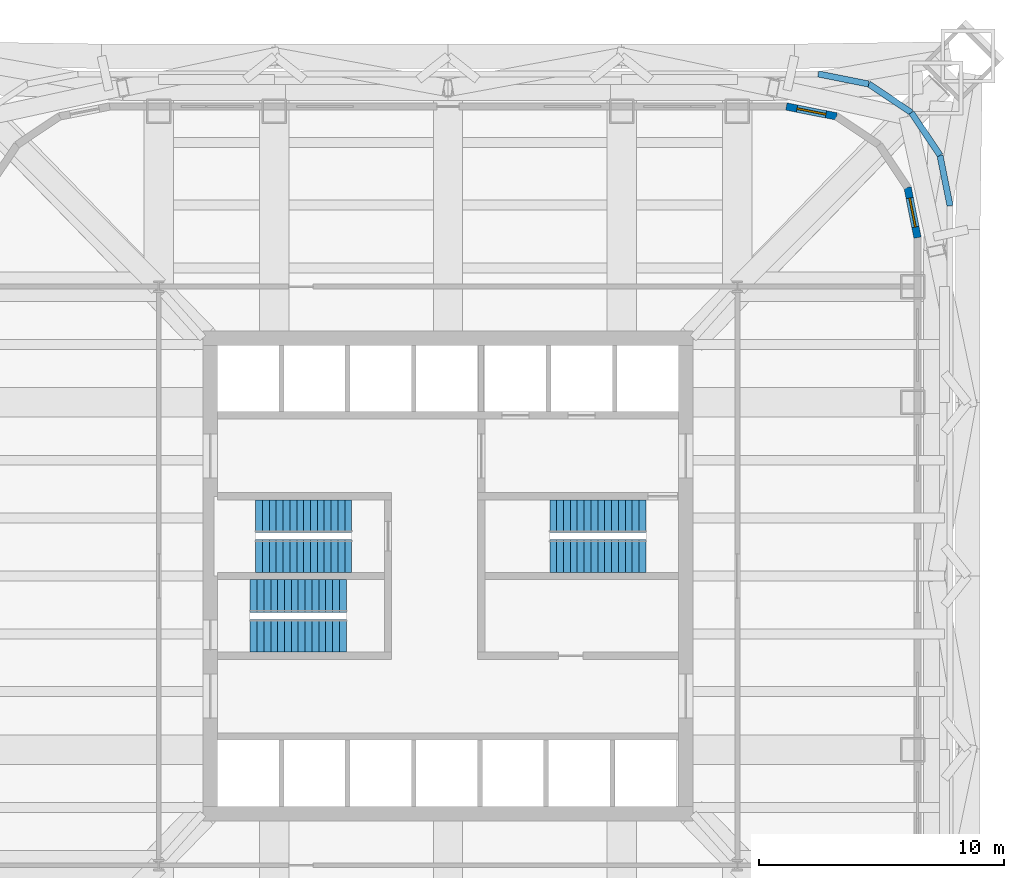
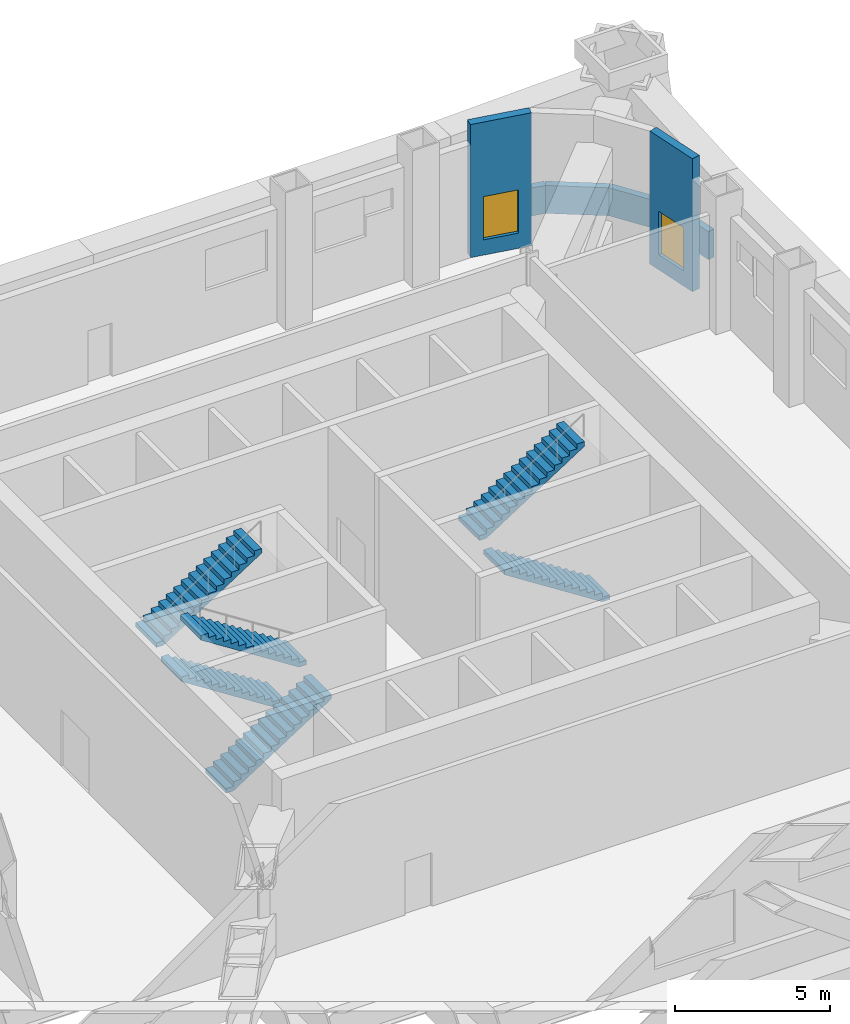
# One storey, part 7 of 9: 6 stair flights, 6 walls, 2 windows, 2 openings, 3 elements without a shape of their own.
"""IFC4 building model written with IfcOpenShell, lengths in metres."""

from ifc_helpers import new_model, si_unit, direction, frame, frame_2d, origin, place, context, subcontext, project, spatial, polyline, rectangle, outline, extrude, material, layer, layer_set, type_object, element, fill, aggregate, save


model = new_model("IFC4")

# Units and contexts
model_context = context("Model", 3, precision=1e-05, world=origin(), true_north=direction((0.0, 1.0)))
body_context = subcontext(model_context, "Body", "Model", "MODEL_VIEW")
ifc_project = project(units=[si_unit("LENGTHUNIT", "METRE"), si_unit("AREAUNIT", "SQUARE_METRE"), si_unit("VOLUMEUNIT", "CUBIC_METRE"), si_unit("PLANEANGLEUNIT", "RADIAN"), si_unit("MASSUNIT", "GRAM", prefix="KILO")], contexts=[model_context])

# Site, building, storey
site_placement = place(None, origin())
site = spatial("IfcSite", under=ifc_project, at=site_placement, CompositionType="ELEMENT")
building_placement = place(site_placement, origin())
building = spatial("IfcBuilding", under=site, at=building_placement, Name="Turquesa Mirador Hotel Tower", CompositionType="ELEMENT")
storey_placement = place(building_placement, frame((0.0, 0.0, 156.39990234375)))
storey = spatial("IfcBuildingStorey", under=building, at=storey_placement, Name="L42", CompositionType="ELEMENT", Elevation=156.39990234375)

# Wall, opening, window
ifc_material_1 = material(Name="Limestone cladding on concrete block", Category="masonry")
ifc_layer_1 = layer(ifc_material_1, 0.300048828125)
ifc_layer_set_1 = layer_set([ifc_layer_1], Name="LOUVRE WALL 300 STONE")
wall_type_1 = type_object("IfcWallType", Name="LOUVRE WALL 300 STONE", PredefinedType="SOLIDWALL", material=ifc_layer_set_1)
wall_1_placement = place(storey_placement, frame((74.14990234375, 58.800048828125, 0.0), z_axis=(0.0, 0.0, 1.0), x_axis=(-0.195081421501, 0.980787050784, 0.0)))
wall_1 = element("IfcWall", 1, at=wall_1_placement, inside=storey, type_object=wall_type_1, Name="Facade wall L42 05", PredefinedType="SOLIDWALL", context=body_context, shape_type="SweptSolid", body=[
    extrude(rectangle(XDim=2.08740234375, YDim=0.300048828125, at=frame_2d((1.043701171875, 0.0))), origin(), (0.0, 0.0, 1.0), 5.22998046875),
])
opening_1_placement = place(wall_1_placement, frame((0.443603515625, 0.0, 0.60009765625)))
opening_1 = element("IfcOpeningElement", 2, at=opening_1_placement, cuts=wall_1, Name="Opening LV8", PredefinedType="OPENING", context=body_context, shape_type="SweptSolid", body=[
    extrude(rectangle(XDim=1.199951171875, YDim=1.699951171875, at=frame_2d((0.60009765625, 0.85009765625))), frame((0.0, 0.159912109375, 0.0), z_axis=(0.0, -1.0, 0.0), x_axis=(1.0, 0.0, 0.0)), (0.0, 0.0, 1.0), 0.320068359375),
])
ifc_material_2 = material(Name="Aluminium extrusion", Category="aluminium")
window_type = type_object("IfcWindowType", Name="PLANT LOUVRE 1200X1700", PartitioningType="SINGLE_PANEL", PredefinedType="USERDEFINED", material=ifc_material_2)
window_1_placement = place(opening_1_placement, origin())
window_1 = element("IfcWindow", 3, at=window_1_placement, inside=storey, type_object=window_type, Name="Window L42", ObjectType="LOUVRE", OverallHeight=1.699951171875, OverallWidth=1.199951171875, PartitioningType="SINGLE_PANEL", PredefinedType="USERDEFINED", context=body_context, shape_type="SweptSolid", body=[
    extrude(rectangle(XDim=1.199951171875, YDim=1.699951171875, at=frame_2d((0.60009765625, 0.85009765625))), frame((0.0, 0.030029296875, 0.0), z_axis=(0.0, -1.0, 0.0), x_axis=(1.0, 0.0, 0.0)), (0.0, 0.0, 1.0), 0.06005859375),
])
fill(opening_1, window_1)

wall_2_placement = place(storey_placement, frame((70.847412109375, 63.74267578125, 0.0), z_axis=(0.0, 0.0, 1.0), x_axis=(-0.980787050784, 0.195081421501, 0.0)))
wall_2 = element("IfcWall", 4, at=wall_2_placement, inside=storey, type_object=wall_type_1, Name="Facade wall L42 08", PredefinedType="SOLIDWALL", context=body_context, shape_type="SweptSolid", body=[
    extrude(rectangle(XDim=2.08740234375, YDim=0.300048828125, at=frame_2d((1.043701171875, 0.0))), origin(), (0.0, 0.0, 1.0), 5.22998046875),
])
opening_2_placement = place(wall_2_placement, frame((0.443603515625, 0.0, 0.60009765625)))
opening_2 = element("IfcOpeningElement", 5, at=opening_2_placement, cuts=wall_2, Name="Opening LV8", PredefinedType="OPENING", context=body_context, shape_type="SweptSolid", body=[
    extrude(rectangle(XDim=1.199951171875, YDim=1.699951171875, at=frame_2d((0.60009765625, 0.85009765625))), frame((0.0, 0.159912109375, 0.0), z_axis=(0.0, -1.0, 0.0), x_axis=(1.0, 0.0, 0.0)), (0.0, 0.0, 1.0), 0.320068359375),
])
window_2_placement = place(opening_2_placement, origin())
window_2 = element("IfcWindow", 6, at=window_2_placement, inside=storey, type_object=window_type, Name="Window L42", ObjectType="LOUVRE", OverallHeight=1.699951171875, OverallWidth=1.199951171875, PartitioningType="SINGLE_PANEL", PredefinedType="USERDEFINED", context=body_context, shape_type="SweptSolid", body=[
    extrude(rectangle(XDim=1.199951171875, YDim=1.699951171875, at=frame_2d((0.60009765625, 0.85009765625))), frame((0.0, 0.030029296875, 0.0), z_axis=(0.0, -1.0, 0.0), x_axis=(1.0, 0.0, 0.0)), (0.0, 0.0, 1.0), 0.06005859375),
])
fill(opening_2, window_2)

# Walls
ifc_material_3 = material(Name="Limestone cladding on concrete block", Category="masonry")
ifc_layer_2 = layer(ifc_material_3, 0.25)
ifc_layer_set_2 = layer_set([ifc_layer_2], Name="PARAPET 250 STONE")
wall_type_2 = type_object("IfcWallType", Name="PARAPET 250 STONE", PredefinedType="PARAPET", material=ifc_layer_set_2)
for number, where, z_axis, x_axis, name in (
    (7, (75.47509765625, 60.10009765625, 0.0), (0.0, 0.0, 1.0), (-0.195108609271, 0.980781642665, 0.0), "Maintenance roof parapet L42"),
    (8, (75.06591796875, 62.156982421875, 0.0), (0.0, 0.0, 1.0), (-0.555640102334, 0.831422922873, 0.0), "Maintenance roof parapet L42"),
    (9, (73.900634765625, 63.900634765625, 0.0), (0.0, 0.0, 1.0), (-0.831422922873, 0.555640102334, 0.0), "Maintenance roof parapet L42"),
    (10, (72.156982421875, 65.06591796875, 0.0), (0.0, 0.0, 1.0), (-0.980781642665, 0.195108609271, 0.0), "Maintenance roof parapet L42"),
):
    element("IfcWall", number, at=place(storey_placement, frame(where, z_axis=z_axis, x_axis=x_axis)), inside=storey, type_object=wall_type_2, Name=name, PredefinedType="PARAPET", context=body_context, shape_type="SweptSolid", body=[
        extrude(rectangle(XDim=2.09716796875, YDim=0.25, at=frame_2d((1.048583984375, 0.0))), origin(), (0.0, 0.0, 1.0), 1.10009765625),
    ])

# Stair, stair flights
ifc_material_4 = material(Name="Concrete C35/45", Category="concrete")
stair_type = type_object("IfcStairType", Name="ESCAPE STAIR CORE", PredefinedType="HALF_TURN_STAIR", material=ifc_material_4)
stair_1_placement = place(storey_placement, origin())
stair_1 = element("IfcStair", 11, at=stair_1_placement, inside=storey, type_object=stair_type, Name="Stair ST1 L42 to L43", PredefinedType="HALF_TURN_STAIR")
ifc_material_5 = material(Name="Concrete C35/45 precast flight", Category="concrete")
stair_flight_type = type_object("IfcStairFlightType", Name="STAIR FLIGHT 1330", PredefinedType="STRAIGHT", material=ifc_material_5)
stair_flight_1_placement = place(storey_placement, frame((51.070068359375, 45.81494140625, 0.0), z_axis=(0.0, 0.0, 1.0), x_axis=(-1.0, 0.0, 0.0)))
stair_flight_1 = element("IfcStairFlight", 12, at=stair_flight_1_placement, type_object=stair_flight_type, Name="ST1 flight 1", NumberOfRisers=15, NumberOfTreads=14, PredefinedType="STRAIGHT", RiserHeight=0.18, TreadLength=0.28, context=body_context, shape_type="SweptSolid", body=[
    extrude(outline(polyline([(0.0, 0.0), (0.0, 0.179931640625), (0.280029296875, 0.179931640625), (0.280029296875, 0.360107421875), (0.56005859375, 0.360107421875), (0.56005859375, 0.5400390625), (0.840087890625, 0.5400390625), (0.840087890625, 0.719970703125), (1.1201171875, 0.719970703125), (1.1201171875, 0.89990234375), (1.39990234375, 0.89990234375), (1.39990234375, 1.080078125), (1.679931640625, 1.080078125), (1.679931640625, 1.260009765625), (1.9599609375, 1.260009765625), (1.9599609375, 1.43994140625), (2.239990234375, 1.43994140625), (2.239990234375, 1.6201171875), (2.52001953125, 1.6201171875), (2.52001953125, 1.800048828125), (2.800048828125, 1.800048828125), (2.800048828125, 1.97998046875), (3.080078125, 1.97998046875), (3.080078125, 2.159912109375), (3.360107421875, 2.159912109375), (3.360107421875, 2.340087890625), (3.639892578125, 2.340087890625), (3.639892578125, 2.52001953125), (3.919921875, 2.52001953125), (3.919921875, 2.699951171875), (3.919921875, 2.341796875), (0.277099609375, 0.0), (0.0, 0.0)])), frame((0.0, 0.6650390625, 0.0), z_axis=(0.0, -1.0, 0.0), x_axis=(1.0, 0.0, 0.0)), (0.0, 0.0, 1.0), 1.330078125),
])
stair_flight_2_placement = place(storey_placement, frame((47.14990234375, 47.43505859375, 2.7001953125), z_axis=(0.0, 0.0, 1.0), x_axis=(1.0, 0.0, 0.0)))
stair_flight_2 = element("IfcStairFlight", 13, at=stair_flight_2_placement, type_object=stair_flight_type, Name="ST1 flight 2", NumberOfRisers=15, NumberOfTreads=14, PredefinedType="STRAIGHT", RiserHeight=0.18, TreadLength=0.28, context=body_context, shape_type="SweptSolid", body=[
    extrude(outline(polyline([(0.0, 0.0), (0.0, 0.179931640625), (0.280029296875, 0.179931640625), (0.280029296875, 0.360107421875), (0.56005859375, 0.360107421875), (0.56005859375, 0.5400390625), (0.840087890625, 0.5400390625), (0.840087890625, 0.719970703125), (1.1201171875, 0.719970703125), (1.1201171875, 0.89990234375), (1.39990234375, 0.89990234375), (1.39990234375, 1.080078125), (1.679931640625, 1.080078125), (1.679931640625, 1.260009765625), (1.9599609375, 1.260009765625), (1.9599609375, 1.43994140625), (2.239990234375, 1.43994140625), (2.239990234375, 1.6201171875), (2.52001953125, 1.6201171875), (2.52001953125, 1.800048828125), (2.800048828125, 1.800048828125), (2.800048828125, 1.97998046875), (3.080078125, 1.97998046875), (3.080078125, 2.159912109375), (3.360107421875, 2.159912109375), (3.360107421875, 2.340087890625), (3.639892578125, 2.340087890625), (3.639892578125, 2.52001953125), (3.919921875, 2.52001953125), (3.919921875, 2.699951171875), (3.919921875, 2.341796875), (0.277099609375, 0.0), (0.0, 0.0)])), frame((0.0, 0.6650390625, 0.0), z_axis=(0.0, -1.0, 0.0), x_axis=(1.0, 0.0, 0.0)), (0.0, 0.0, 1.0), 1.330078125),
])
aggregate(stair_1, [stair_flight_1, stair_flight_2])

stair_2_placement = place(storey_placement, origin())
stair_2 = element("IfcStair", 14, at=stair_2_placement, inside=storey, type_object=stair_type, Name="Stair ST2 L42 to L43", PredefinedType="HALF_TURN_STAIR")
stair_flight_3_placement = place(storey_placement, frame((46.929931640625, 42.56494140625, 0.0), z_axis=(0.0, 0.0, 1.0), x_axis=(1.0, 0.0, 0.0)))
stair_flight_3 = element("IfcStairFlight", 15, at=stair_flight_3_placement, type_object=stair_flight_type, Name="ST2 flight 1", NumberOfRisers=15, NumberOfTreads=14, PredefinedType="STRAIGHT", RiserHeight=0.18, TreadLength=0.28, context=body_context, shape_type="SweptSolid", body=[
    extrude(outline(polyline([(0.0, 0.0), (0.0, 0.179931640625), (0.280029296875, 0.179931640625), (0.280029296875, 0.360107421875), (0.56005859375, 0.360107421875), (0.56005859375, 0.5400390625), (0.840087890625, 0.5400390625), (0.840087890625, 0.719970703125), (1.1201171875, 0.719970703125), (1.1201171875, 0.89990234375), (1.39990234375, 0.89990234375), (1.39990234375, 1.080078125), (1.679931640625, 1.080078125), (1.679931640625, 1.260009765625), (1.9599609375, 1.260009765625), (1.9599609375, 1.43994140625), (2.239990234375, 1.43994140625), (2.239990234375, 1.6201171875), (2.52001953125, 1.6201171875), (2.52001953125, 1.800048828125), (2.800048828125, 1.800048828125), (2.800048828125, 1.97998046875), (3.080078125, 1.97998046875), (3.080078125, 2.159912109375), (3.360107421875, 2.159912109375), (3.360107421875, 2.340087890625), (3.639892578125, 2.340087890625), (3.639892578125, 2.52001953125), (3.919921875, 2.52001953125), (3.919921875, 2.699951171875), (3.919921875, 2.341796875), (0.277099609375, 0.0), (0.0, 0.0)])), frame((0.0, 0.6650390625, 0.0), z_axis=(0.0, -1.0, 0.0), x_axis=(1.0, 0.0, 0.0)), (0.0, 0.0, 1.0), 1.330078125),
])
stair_flight_4_placement = place(storey_placement, frame((50.85009765625, 44.18505859375, 2.7001953125), z_axis=(0.0, 0.0, 1.0), x_axis=(-1.0, 0.0, 0.0)))
stair_flight_4 = element("IfcStairFlight", 16, at=stair_flight_4_placement, type_object=stair_flight_type, Name="ST2 flight 2", NumberOfRisers=15, NumberOfTreads=14, PredefinedType="STRAIGHT", RiserHeight=0.18, TreadLength=0.28, context=body_context, shape_type="SweptSolid", body=[
    extrude(outline(polyline([(0.0, 0.0), (0.0, 0.179931640625), (0.280029296875, 0.179931640625), (0.280029296875, 0.360107421875), (0.56005859375, 0.360107421875), (0.56005859375, 0.5400390625), (0.840087890625, 0.5400390625), (0.840087890625, 0.719970703125), (1.1201171875, 0.719970703125), (1.1201171875, 0.89990234375), (1.39990234375, 0.89990234375), (1.39990234375, 1.080078125), (1.679931640625, 1.080078125), (1.679931640625, 1.260009765625), (1.9599609375, 1.260009765625), (1.9599609375, 1.43994140625), (2.239990234375, 1.43994140625), (2.239990234375, 1.6201171875), (2.52001953125, 1.6201171875), (2.52001953125, 1.800048828125), (2.800048828125, 1.800048828125), (2.800048828125, 1.97998046875), (3.080078125, 1.97998046875), (3.080078125, 2.159912109375), (3.360107421875, 2.159912109375), (3.360107421875, 2.340087890625), (3.639892578125, 2.340087890625), (3.639892578125, 2.52001953125), (3.919921875, 2.52001953125), (3.919921875, 2.699951171875), (3.919921875, 2.341796875), (0.277099609375, 0.0), (0.0, 0.0)])), frame((0.0, 0.6650390625, 0.0), z_axis=(0.0, -1.0, 0.0), x_axis=(1.0, 0.0, 0.0)), (0.0, 0.0, 1.0), 1.330078125),
])
aggregate(stair_2, [stair_flight_3, stair_flight_4])

stair_3_placement = place(storey_placement, origin())
stair_3 = element("IfcStair", 17, at=stair_3_placement, inside=storey, type_object=stair_type, Name="Stair ST3 L42 to L43", PredefinedType="HALF_TURN_STAIR")
stair_flight_5_placement = place(storey_placement, frame((63.070068359375, 45.81494140625, 0.0), z_axis=(0.0, 0.0, 1.0), x_axis=(-1.0, 0.0, 0.0)))
stair_flight_5 = element("IfcStairFlight", 18, at=stair_flight_5_placement, type_object=stair_flight_type, Name="ST3 flight 1", NumberOfRisers=15, NumberOfTreads=14, PredefinedType="STRAIGHT", RiserHeight=0.18, TreadLength=0.28, context=body_context, shape_type="SweptSolid", body=[
    extrude(outline(polyline([(0.0, 0.0), (0.0, 0.179931640625), (0.280029296875, 0.179931640625), (0.280029296875, 0.360107421875), (0.56005859375, 0.360107421875), (0.56005859375, 0.5400390625), (0.840087890625, 0.5400390625), (0.840087890625, 0.719970703125), (1.1201171875, 0.719970703125), (1.1201171875, 0.89990234375), (1.39990234375, 0.89990234375), (1.39990234375, 1.080078125), (1.679931640625, 1.080078125), (1.679931640625, 1.260009765625), (1.9599609375, 1.260009765625), (1.9599609375, 1.43994140625), (2.239990234375, 1.43994140625), (2.239990234375, 1.6201171875), (2.52001953125, 1.6201171875), (2.52001953125, 1.800048828125), (2.800048828125, 1.800048828125), (2.800048828125, 1.97998046875), (3.080078125, 1.97998046875), (3.080078125, 2.159912109375), (3.360107421875, 2.159912109375), (3.360107421875, 2.340087890625), (3.639892578125, 2.340087890625), (3.639892578125, 2.52001953125), (3.919921875, 2.52001953125), (3.919921875, 2.699951171875), (3.919921875, 2.341796875), (0.277099609375, 0.0), (0.0, 0.0)])), frame((0.0, 0.6650390625, 0.0), z_axis=(0.0, -1.0, 0.0), x_axis=(1.0, 0.0, 0.0)), (0.0, 0.0, 1.0), 1.330078125),
])
stair_flight_6_placement = place(storey_placement, frame((59.14990234375, 47.43505859375, 2.7001953125), z_axis=(0.0, 0.0, 1.0), x_axis=(1.0, 0.0, 0.0)))
stair_flight_6 = element("IfcStairFlight", 19, at=stair_flight_6_placement, type_object=stair_flight_type, Name="ST3 flight 2", NumberOfRisers=15, NumberOfTreads=14, PredefinedType="STRAIGHT", RiserHeight=0.18, TreadLength=0.28, context=body_context, shape_type="SweptSolid", body=[
    extrude(outline(polyline([(0.0, 0.0), (0.0, 0.179931640625), (0.280029296875, 0.179931640625), (0.280029296875, 0.360107421875), (0.56005859375, 0.360107421875), (0.56005859375, 0.5400390625), (0.840087890625, 0.5400390625), (0.840087890625, 0.719970703125), (1.1201171875, 0.719970703125), (1.1201171875, 0.89990234375), (1.39990234375, 0.89990234375), (1.39990234375, 1.080078125), (1.679931640625, 1.080078125), (1.679931640625, 1.260009765625), (1.9599609375, 1.260009765625), (1.9599609375, 1.43994140625), (2.239990234375, 1.43994140625), (2.239990234375, 1.6201171875), (2.52001953125, 1.6201171875), (2.52001953125, 1.800048828125), (2.800048828125, 1.800048828125), (2.800048828125, 1.97998046875), (3.080078125, 1.97998046875), (3.080078125, 2.159912109375), (3.360107421875, 2.159912109375), (3.360107421875, 2.340087890625), (3.639892578125, 2.340087890625), (3.639892578125, 2.52001953125), (3.919921875, 2.52001953125), (3.919921875, 2.699951171875), (3.919921875, 2.341796875), (0.277099609375, 0.0), (0.0, 0.0)])), frame((0.0, 0.6650390625, 0.0), z_axis=(0.0, -1.0, 0.0), x_axis=(1.0, 0.0, 0.0)), (0.0, 0.0, 1.0), 1.330078125),
])
aggregate(stair_3, [stair_flight_5, stair_flight_6])

save(model, "model.ifc")
